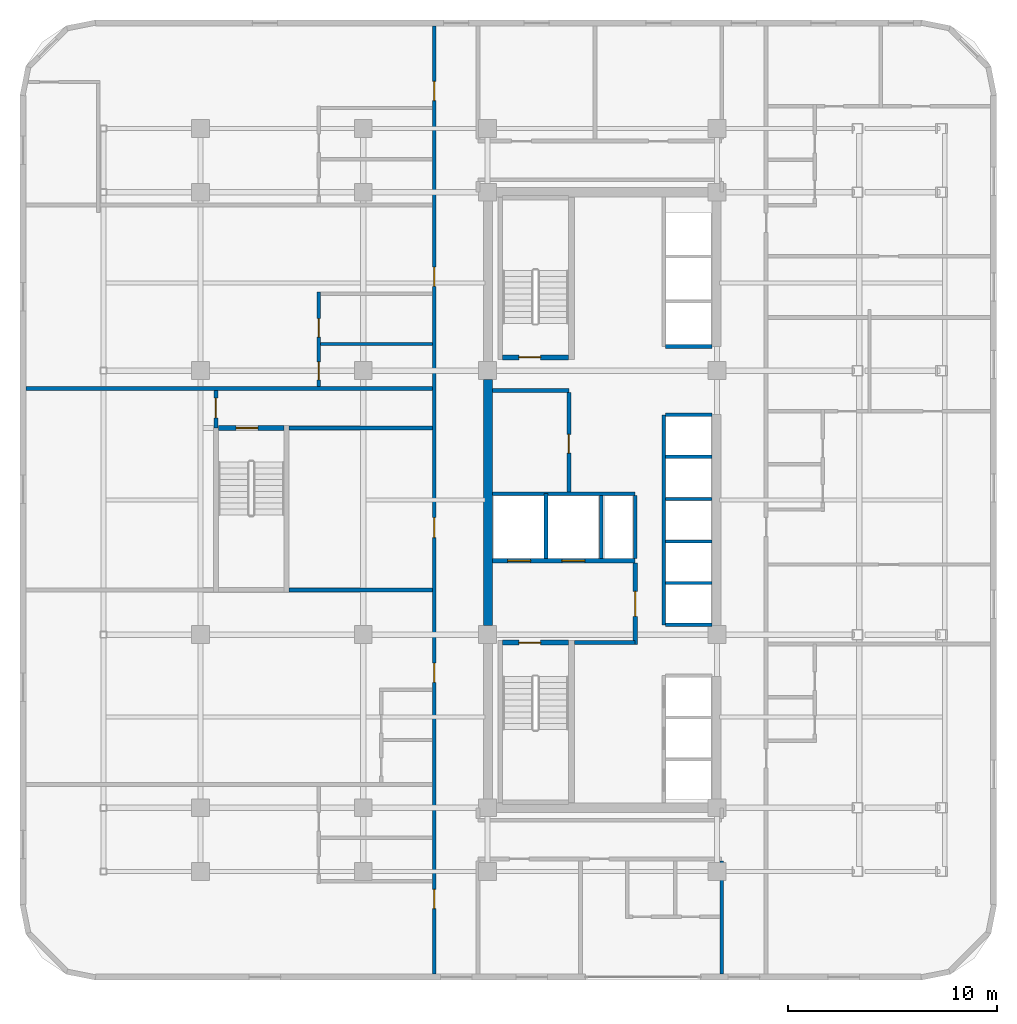
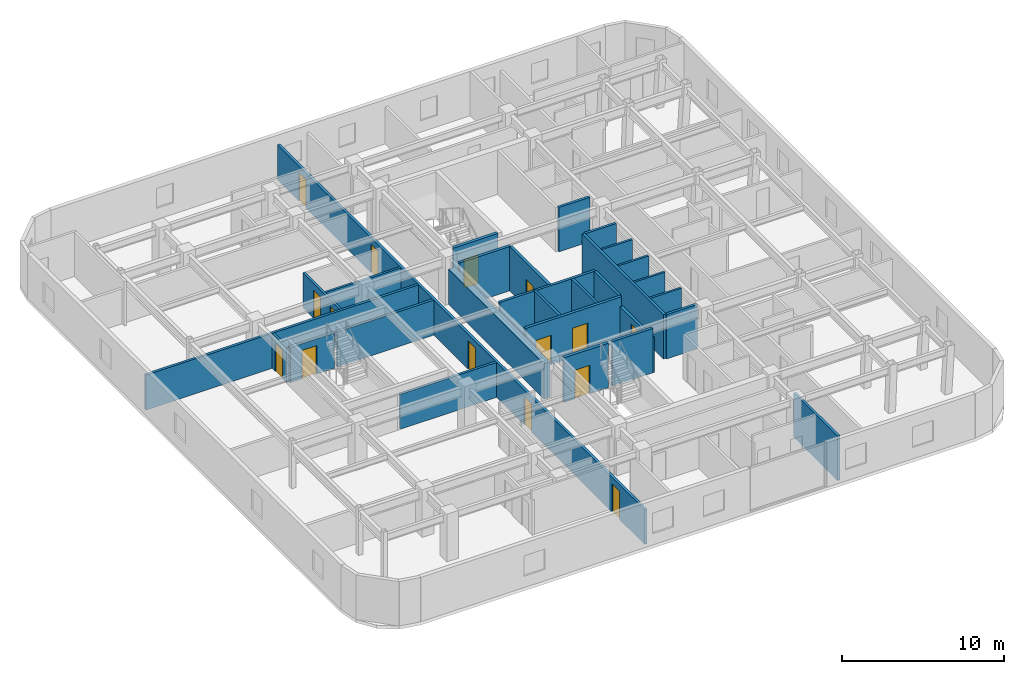
# One storey, part 9 of 13: 29 walls, 15 doors, 15 openings.
"""IFC4 building model written with IfcOpenShell, lengths in metres."""

from ifc_helpers import new_model, si_unit, direction, frame, frame_2d, origin, place, context, subcontext, project, spatial, rectangle, extrude, material, layer, layer_set, type_object, element, fill, save


model = new_model("IFC4")

# Units and contexts
model_context = context("Model", 3, precision=1e-05, world=origin(), true_north=direction((0.0, 1.0)))
body_context = subcontext(model_context, "Body", "Model", "MODEL_VIEW")
ifc_project = project(units=[si_unit("LENGTHUNIT", "METRE"), si_unit("AREAUNIT", "SQUARE_METRE"), si_unit("VOLUMEUNIT", "CUBIC_METRE"), si_unit("PLANEANGLEUNIT", "RADIAN"), si_unit("MASSUNIT", "GRAM", prefix="KILO")], contexts=[model_context])

# Site, building, storey
site_placement = place(None, origin())
site = spatial("IfcSite", under=ifc_project, at=site_placement, CompositionType="ELEMENT")
building_placement = place(site_placement, origin())
building = spatial("IfcBuilding", under=site, at=building_placement, Name="Ochreholt Gables", CompositionType="ELEMENT")
storey_placement = place(building_placement, frame((0.0, 0.0, 56.39990234375)))
storey = spatial("IfcBuildingStorey", under=building, at=storey_placement, Name="L14", CompositionType="ELEMENT", Elevation=56.39990234375)

# Wall
ifc_material_1 = material(Name="Concrete 60 MPa", Category="concrete")
ifc_layer_1 = layer(ifc_material_1, 0.449951171875, Name="Concrete 60 MPa")
ifc_layer_set_1 = layer_set([ifc_layer_1], Name="Concrete 60 MPa")
wall_type_1 = type_object("IfcWallType", Name="WALL-CSW-450", PredefinedType="SHEAR", material=ifc_layer_set_1)
wall_1_placement = place(storey_placement, frame((24.22509765625, 17.97509765625, 0.0), z_axis=(0.0, 0.0, 1.0), x_axis=(0.0, 1.0, 0.0)))
element("IfcWall", 1, at=wall_1_placement, inside=storey, type_object=wall_type_1, Name="L14 Core West Shear Wall WM", PredefinedType="SHEAR", context=body_context, shape_type="SweptSolid", body=[
    extrude(rectangle(XDim=11.7998046875, YDim=0.449951171875, at=frame_2d((5.89990234375, 0.0))), origin(), (0.0, 0.0, 1.0), 2.656982421875),
])

# Wall, openings, doors
ifc_material_2 = material(Name="Concrete 40 MPa", Category="concrete")
ifc_layer_2 = layer(ifc_material_2, 0.199951171875, Name="Concrete 40 MPa")
ifc_layer_set_2 = layer_set([ifc_layer_2], Name="Concrete 40 MPa")
wall_type_2 = type_object("IfcWallType", Name="WALL-INT-CF200", PredefinedType="STANDARD", material=ifc_layer_set_2)
wall_2_placement = place(storey_placement, frame((24.449951171875, 21.090087890625, 0.0), z_axis=(0.0, 0.0, 1.0), x_axis=(1.0, 0.0, 0.0)))
wall_2 = element("IfcWall", 2, at=wall_2_placement, inside=storey, type_object=wall_type_2, Name="L14 Interior Wall WI-FFN-L14", PredefinedType="STANDARD", context=body_context, shape_type="SweptSolid", body=[
    extrude(rectangle(XDim=6.830078125, YDim=0.199951171875, at=frame_2d((3.4150390625, 0.0))), origin(), (0.0, 0.0, 1.0), 3.35009765625),
])
opening_1_placement = place(wall_2_placement, frame((0.719970703125, 0.0, 0.0)))
opening_1 = element("IfcOpeningElement", 3, at=opening_1_placement, cuts=wall_2, Name="Opening LD-FF", PredefinedType="OPENING", context=body_context, shape_type="SweptSolid", body=[
    extrude(rectangle(XDim=1.10009765625, YDim=2.199951171875, at=frame_2d((0.550048828125, 1.10009765625))), frame((0.0, 0.10986328125, 0.0), z_axis=(0.0, -1.0, 0.0), x_axis=(1.0, 0.0, 0.0)), (0.0, 0.0, 1.0), 0.219970703125),
])
opening_2_placement = place(wall_2_placement, frame((3.320068359375, 0.0, 0.0)))
opening_2 = element("IfcOpeningElement", 4, at=opening_2_placement, cuts=wall_2, Name="Opening LD-FF", PredefinedType="OPENING", context=body_context, shape_type="SweptSolid", body=[
    extrude(rectangle(XDim=1.10009765625, YDim=2.199951171875, at=frame_2d((0.550048828125, 1.10009765625))), frame((0.0, 0.10986328125, 0.0), z_axis=(0.0, -1.0, 0.0), x_axis=(1.0, 0.0, 0.0)), (0.0, 0.0, 1.0), 0.219970703125),
])
ifc_material_3 = material(Name="Stainless Steel", Category="steel")
door_type_1 = type_object("IfcDoorType", Name="DR-LFT-FF1100", OperationType="NOTDEFINED", PredefinedType="DOOR", material=ifc_material_3)
door_1_placement = place(opening_1_placement, origin())
door_1 = element("IfcDoor", 5, at=door_1_placement, inside=storey, type_object=door_type_1, Name="L14 Door LD-FF1-L14", OperationType="SLIDING_TO_LEFT", OverallHeight=2.199951171875, OverallWidth=1.10009765625, PredefinedType="DOOR", context=body_context, shape_type="SweptSolid", body=[
    extrude(rectangle(XDim=1.10009765625, YDim=2.199951171875, at=frame_2d((0.550048828125, 1.10009765625))), frame((0.0, 0.02490234375, 0.0), z_axis=(0.0, -1.0, 0.0), x_axis=(1.0, 0.0, 0.0)), (0.0, 0.0, 1.0), 0.050048828125),
])
fill(opening_1, door_1)
door_2_placement = place(opening_2_placement, origin())
door_2 = element("IfcDoor", 6, at=door_2_placement, inside=storey, type_object=door_type_1, Name="L14 Door LD-FF2-L14", OperationType="SLIDING_TO_LEFT", OverallHeight=2.199951171875, OverallWidth=1.10009765625, PredefinedType="DOOR", context=body_context, shape_type="SweptSolid", body=[
    extrude(rectangle(XDim=1.10009765625, YDim=2.199951171875, at=frame_2d((0.550048828125, 1.10009765625))), frame((0.0, 0.02490234375, 0.0), z_axis=(0.0, -1.0, 0.0), x_axis=(1.0, 0.0, 0.0)), (0.0, 0.0, 1.0), 0.050048828125),
])
fill(opening_2, door_2)

# Wall
wall_3_placement = place(storey_placement, frame((28.3798828125, 17.169921875, 0.0), z_axis=(0.0, 0.0, 1.0), x_axis=(1.0, 0.0, 0.0)))
element("IfcWall", 7, at=wall_3_placement, inside=storey, type_object=wall_type_2, Name="L14 Interior Wall WI-FFS-L14", PredefinedType="STANDARD", context=body_context, shape_type="SweptSolid", body=[
    extrude(rectangle(XDim=2.900146484375, YDim=0.199951171875, at=frame_2d((1.4501953125, 0.0))), origin(), (0.0, 0.0, 1.0), 3.35009765625),
])

# Wall, opening, door
wall_4_placement = place(storey_placement, frame((31.280029296875, 17.070068359375, 0.0), z_axis=(0.0, 0.0, 1.0), x_axis=(0.0, 1.0, 0.0)))
wall_4 = element("IfcWall", 8, at=wall_4_placement, inside=storey, type_object=wall_type_2, Name="L14 Interior Wall WI-FFE-L14", PredefinedType="STANDARD", context=body_context, shape_type="SweptSolid", body=[
    extrude(rectangle(XDim=3.919921875, YDim=0.199951171875, at=frame_2d((1.9599609375, 0.0))), origin(), (0.0, 0.0, 1.0), 2.63916015625),
])
opening_3_placement = place(wall_4_placement, frame((1.35009765625, 0.0, 0.0)))
opening_3 = element("IfcOpeningElement", 9, at=opening_3_placement, cuts=wall_4, Name="Opening D-FFL", PredefinedType="OPENING", context=body_context, shape_type="SweptSolid", body=[
    extrude(rectangle(XDim=1.199951171875, YDim=2.14990234375, at=frame_2d((0.60009765625, 1.074951171875))), frame((0.0, 0.10986328125, 0.0), z_axis=(0.0, -1.0, 0.0), x_axis=(1.0, 0.0, 0.0)), (0.0, 0.0, 1.0), 0.219970703125),
])
ifc_material_4 = material(Name="Hollow Metal Steel", Category="steel")
door_type_2 = type_object("IfcDoorType", Name="DR-INT-FFL1200", OperationType="NOTDEFINED", PredefinedType="DOOR", material=ifc_material_4)
door_3_placement = place(opening_3_placement, origin())
door_3 = element("IfcDoor", 10, at=door_3_placement, inside=storey, type_object=door_type_2, Name="L14 Door D-FFL-L14", OperationType="SINGLE_SWING_LEFT", OverallHeight=2.14990234375, OverallWidth=1.199951171875, PredefinedType="DOOR", context=body_context, shape_type="SweptSolid", body=[
    extrude(rectangle(XDim=1.199951171875, YDim=2.14990234375, at=frame_2d((0.60009765625, 1.074951171875))), frame((0.0, 0.02490234375, 0.0), z_axis=(0.0, -1.0, 0.0), x_axis=(1.0, 0.0, 0.0)), (0.0, 0.0, 1.0), 0.050048828125),
])
fill(opening_3, door_3)

# Wall
wall_5_placement = place(storey_placement, frame((24.449951171875, 29.239990234375, 0.0), z_axis=(0.0, 0.0, 1.0), x_axis=(1.0, 0.0, 0.0)))
element("IfcWall", 11, at=wall_5_placement, inside=storey, type_object=wall_type_2, Name="L14 Interior Wall WI-SRVN-L14", PredefinedType="STANDARD", context=body_context, shape_type="SweptSolid", body=[
    extrude(rectangle(XDim=3.650146484375, YDim=0.199951171875, at=frame_2d((1.8251953125, 0.0))), origin(), (0.0, 0.0, 1.0), 3.35009765625),
])

# Wall, opening, door
wall_6_placement = place(storey_placement, frame((28.10009765625, 24.389892578125, 0.0), z_axis=(0.0, 0.0, 1.0), x_axis=(0.0, 1.0, 0.0)))
wall_6 = element("IfcWall", 12, at=wall_6_placement, inside=storey, type_object=wall_type_2, Name="L14 Interior Wall WI-SRVE-L14", PredefinedType="STANDARD", context=body_context, shape_type="SweptSolid", body=[
    extrude(rectangle(XDim=4.75, YDim=0.199951171875, at=frame_2d((2.375, 0.0))), origin(), (0.0, 0.0, 1.0), 3.35009765625),
])
opening_4_placement = place(wall_6_placement, frame((1.860107421875, 0.0, 0.0)))
opening_4 = element("IfcOpeningElement", 13, at=opening_4_placement, cuts=wall_6, Name="Opening D-SV1", PredefinedType="OPENING", context=body_context, shape_type="SweptSolid", body=[
    extrude(rectangle(XDim=0.89990234375, YDim=2.10009765625, at=frame_2d((0.449951171875, 1.050048828125))), frame((0.0, 0.10986328125, 0.0), z_axis=(0.0, -1.0, 0.0), x_axis=(1.0, 0.0, 0.0)), (0.0, 0.0, 1.0), 0.219970703125),
])
door_type_3 = type_object("IfcDoorType", Name="DR-INT-SRV900", OperationType="NOTDEFINED", PredefinedType="DOOR", material=ifc_material_4)
door_4_placement = place(opening_4_placement, origin())
door_4 = element("IfcDoor", 14, at=door_4_placement, inside=storey, type_object=door_type_3, Name="L14 Door D-SRV1-L14", OperationType="SINGLE_SWING_LEFT", OverallHeight=2.10009765625, OverallWidth=0.89990234375, PredefinedType="DOOR", context=body_context, shape_type="SweptSolid", body=[
    extrude(rectangle(XDim=0.89990234375, YDim=2.10009765625, at=frame_2d((0.449951171875, 1.050048828125))), frame((0.0, 0.02490234375, 0.0), z_axis=(0.0, -1.0, 0.0), x_axis=(1.0, 0.0, 0.0)), (0.0, 0.0, 1.0), 0.050048828125),
])
fill(opening_4, door_4)

# Wall, openings, doors
ifc_material_5 = material(Name="Fire-Rated Gypsum Acoustic Partition", Category="gypsum")
ifc_layer_3 = layer(ifc_material_5, 0.179931640625, Name="Fire-Rated Gypsum Acoustic Partition")
ifc_layer_set_3 = layer_set([ifc_layer_3], Name="Fire-Rated Gypsum Acoustic Partition")
wall_type_3 = type_object("IfcWallType", Name="WALL-INT-CR180", PredefinedType="STANDARD", material=ifc_layer_set_3)
wall_7_placement = place(storey_placement, frame((21.64990234375, 1.2900390625, 0.0), z_axis=(0.0, 0.0, 1.0), x_axis=(0.0, 1.0, 0.0)))
wall_7 = element("IfcWall", 15, at=wall_7_placement, inside=storey, type_object=wall_type_3, Name="L14 Interior Wall WI-C1W-L14", PredefinedType="STANDARD", context=body_context, shape_type="SweptSolid", body=[
    extrude(rectangle(XDim=45.419921875, YDim=0.179931640625, at=frame_2d((22.7099609375, 0.0))), origin(), (0.0, 0.0, 1.0), 2.63916015625),
])
opening_5_placement = place(wall_7_placement, frame((3.135009765625, 0.0, 0.0)))
opening_5 = element("IfcOpeningElement", 16, at=opening_5_placement, cuts=wall_7, Name="Opening D-UN1", PredefinedType="OPENING", context=body_context, shape_type="SweptSolid", body=[
    extrude(rectangle(XDim=0.919921875, YDim=2.14990234375, at=frame_2d((0.4599609375, 1.074951171875))), frame((0.0, 0.099853515625, 0.0), z_axis=(0.0, -1.0, 0.0), x_axis=(1.0, 0.0, 0.0)), (0.0, 0.0, 1.0), 0.199951171875),
])
opening_6_placement = place(wall_7_placement, frame((13.97509765625, 0.0, 0.0)))
opening_6 = element("IfcOpeningElement", 17, at=opening_6_placement, cuts=wall_7, Name="Opening D-UN1", PredefinedType="OPENING", context=body_context, shape_type="SweptSolid", body=[
    extrude(rectangle(XDim=0.919921875, YDim=2.14990234375, at=frame_2d((0.4599609375, 1.074951171875))), frame((0.0, 0.099853515625, 0.0), z_axis=(0.0, -1.0, 0.0), x_axis=(1.0, 0.0, 0.0)), (0.0, 0.0, 1.0), 0.199951171875),
])
opening_7_placement = place(wall_7_placement, frame((20.909912109375, 0.0, 0.0)))
opening_7 = element("IfcOpeningElement", 18, at=opening_7_placement, cuts=wall_7, Name="Opening D-GN1", PredefinedType="OPENING", context=body_context, shape_type="SweptSolid", body=[
    extrude(rectangle(XDim=0.949951171875, YDim=2.14990234375, at=frame_2d((0.47509765625, 1.074951171875))), frame((0.0, 0.099853515625, 0.0), z_axis=(0.0, -1.0, 0.0), x_axis=(1.0, 0.0, 0.0)), (0.0, 0.0, 1.0), 0.199951171875),
])
opening_8_placement = place(wall_7_placement, frame((32.949951171875, 0.0, 0.0)))
opening_8 = element("IfcOpeningElement", 19, at=opening_8_placement, cuts=wall_7, Name="Opening D-UN1", PredefinedType="OPENING", context=body_context, shape_type="SweptSolid", body=[
    extrude(rectangle(XDim=0.919921875, YDim=2.14990234375, at=frame_2d((0.4599609375, 1.074951171875))), frame((0.0, 0.099853515625, 0.0), z_axis=(0.0, -1.0, 0.0), x_axis=(1.0, 0.0, 0.0)), (0.0, 0.0, 1.0), 0.199951171875),
])
opening_9_placement = place(wall_7_placement, frame((41.85009765625, 0.0, 0.0)))
opening_9 = element("IfcOpeningElement", 20, at=opening_9_placement, cuts=wall_7, Name="Opening D-UN1", PredefinedType="OPENING", context=body_context, shape_type="SweptSolid", body=[
    extrude(rectangle(XDim=0.919921875, YDim=2.14990234375, at=frame_2d((0.4599609375, 1.074951171875))), frame((0.0, 0.099853515625, 0.0), z_axis=(0.0, -1.0, 0.0), x_axis=(1.0, 0.0, 0.0)), (0.0, 0.0, 1.0), 0.199951171875),
])
ifc_material_6 = material(Name="Engineered Oak Timber", Category="wood")
door_type_4 = type_object("IfcDoorType", Name="DR-INT-GEN950", OperationType="NOTDEFINED", PredefinedType="DOOR", material=ifc_material_6)
door_5_placement = place(opening_7_placement, origin())
door_5 = element("IfcDoor", 21, at=door_5_placement, inside=storey, type_object=door_type_4, Name="L14 Door D-C1WRR-L14", OperationType="SINGLE_SWING_LEFT", OverallHeight=2.14990234375, OverallWidth=0.949951171875, PredefinedType="DOOR", context=body_context, shape_type="SweptSolid", body=[
    extrude(rectangle(XDim=0.949951171875, YDim=2.14990234375, at=frame_2d((0.47509765625, 1.074951171875))), frame((0.0, 0.02490234375, 0.0), z_axis=(0.0, -1.0, 0.0), x_axis=(1.0, 0.0, 0.0)), (0.0, 0.0, 1.0), 0.050048828125),
])
fill(opening_7, door_5)
door_type_5 = type_object("IfcDoorType", Name="DR-INT-UNT920", OperationType="NOTDEFINED", PredefinedType="DOOR", material=ifc_material_6)
door_6_placement = place(opening_5_placement, origin())
door_6 = element("IfcDoor", 22, at=door_6_placement, inside=storey, type_object=door_type_5, Name="L14 Door D-U-L14W1-ENT", OperationType="SINGLE_SWING_LEFT", OverallHeight=2.14990234375, OverallWidth=0.919921875, PredefinedType="DOOR", context=body_context, shape_type="SweptSolid", body=[
    extrude(rectangle(XDim=0.919921875, YDim=2.14990234375, at=frame_2d((0.4599609375, 1.074951171875))), frame((0.0, 0.02490234375, 0.0), z_axis=(0.0, -1.0, 0.0), x_axis=(1.0, 0.0, 0.0)), (0.0, 0.0, 1.0), 0.050048828125),
])
fill(opening_5, door_6)
door_7_placement = place(opening_6_placement, origin())
door_7 = element("IfcDoor", 23, at=door_7_placement, inside=storey, type_object=door_type_5, Name="L14 Door D-U-L14W2-ENT", OperationType="SINGLE_SWING_RIGHT", OverallHeight=2.14990234375, OverallWidth=0.919921875, PredefinedType="DOOR", context=body_context, shape_type="SweptSolid", body=[
    extrude(rectangle(XDim=0.919921875, YDim=2.14990234375, at=frame_2d((0.4599609375, 1.074951171875))), frame((0.0, 0.02490234375, 0.0), z_axis=(0.0, -1.0, 0.0), x_axis=(1.0, 0.0, 0.0)), (0.0, 0.0, 1.0), 0.050048828125),
])
fill(opening_6, door_7)
door_8_placement = place(opening_8_placement, origin())
door_8 = element("IfcDoor", 24, at=door_8_placement, inside=storey, type_object=door_type_5, Name="L14 Door D-U-L14W3-ENT", OperationType="SINGLE_SWING_LEFT", OverallHeight=2.14990234375, OverallWidth=0.919921875, PredefinedType="DOOR", context=body_context, shape_type="SweptSolid", body=[
    extrude(rectangle(XDim=0.919921875, YDim=2.14990234375, at=frame_2d((0.4599609375, 1.074951171875))), frame((0.0, 0.02490234375, 0.0), z_axis=(0.0, -1.0, 0.0), x_axis=(1.0, 0.0, 0.0)), (0.0, 0.0, 1.0), 0.050048828125),
])
fill(opening_8, door_8)
door_9_placement = place(opening_9_placement, origin())
door_9 = element("IfcDoor", 25, at=door_9_placement, inside=storey, type_object=door_type_5, Name="L14 Door D-U-L14W4-ENT", OperationType="SINGLE_SWING_RIGHT", OverallHeight=2.14990234375, OverallWidth=0.919921875, PredefinedType="DOOR", context=body_context, shape_type="SweptSolid", body=[
    extrude(rectangle(XDim=0.919921875, YDim=2.14990234375, at=frame_2d((0.4599609375, 1.074951171875))), frame((0.0, 0.02490234375, 0.0), z_axis=(0.0, -1.0, 0.0), x_axis=(1.0, 0.0, 0.0)), (0.0, 0.0, 1.0), 0.050048828125),
])
fill(opening_9, door_9)

# Walls
wall_8_placement = place(storey_placement, frame((14.679931640625, 27.449951171875, 0.0), z_axis=(0.0, 0.0, 1.0), x_axis=(1.0, 0.0, 0.0)))
element("IfcWall", 26, at=wall_8_placement, inside=storey, type_object=wall_type_3, Name="L14 Interior Wall WI-C1FS1-L14", PredefinedType="STANDARD", context=body_context, shape_type="SweptSolid", body=[
    extrude(rectangle(XDim=6.880126953125, YDim=0.179931640625, at=frame_2d((3.43994140625, 0.0))), origin(), (0.0, 0.0, 1.0), 2.63916015625),
])
wall_9_placement = place(storey_placement, frame((2.090087890625, 29.340087890625, 0.0), z_axis=(0.0, 0.0, 1.0), x_axis=(1.0, 0.0, 0.0)))
element("IfcWall", 27, at=wall_9_placement, inside=storey, type_object=wall_type_3, Name="L14 Interior Wall WI-C1FS2-L14", PredefinedType="STANDARD", context=body_context, shape_type="SweptSolid", body=[
    extrude(rectangle(XDim=19.469970703125, YDim=0.179931640625, at=frame_2d((9.73486328125, 0.0))), origin(), (0.0, 0.0, 1.0), 2.63916015625),
])

# Wall, opening, door
wall_10_placement = place(storey_placement, frame((11.18994140625, 27.449951171875, 0.0), z_axis=(0.0, 0.0, 1.0), x_axis=(0.0, 1.0, 0.0)))
wall_10 = element("IfcWall", 28, at=wall_10_placement, inside=storey, type_object=wall_type_3, Name="L14 Interior Wall WI-C1FS3-L14", PredefinedType="STANDARD", context=body_context, shape_type="SweptSolid", body=[
    extrude(rectangle(XDim=1.800048828125, YDim=0.179931640625, at=frame_2d((0.89990234375, 0.0))), origin(), (0.0, 0.0, 1.0), 2.63916015625),
])
opening_10_placement = place(wall_10_placement, frame((0.47998046875, 0.0, 0.0)))
opening_10 = element("IfcOpeningElement", 29, at=opening_10_placement, cuts=wall_10, Name="Opening D-GN1", PredefinedType="OPENING", context=body_context, shape_type="SweptSolid", body=[
    extrude(rectangle(XDim=0.949951171875, YDim=2.14990234375, at=frame_2d((0.47509765625, 1.074951171875))), frame((0.0, 0.099853515625, 0.0), z_axis=(0.0, -1.0, 0.0), x_axis=(1.0, 0.0, 0.0)), (0.0, 0.0, 1.0), 0.199951171875),
])
door_10_placement = place(opening_10_placement, origin())
door_10 = element("IfcDoor", 30, at=door_10_placement, inside=storey, type_object=door_type_4, Name="L14 Door D-C1WMA-L14", OperationType="SINGLE_SWING_LEFT", OverallHeight=2.14990234375, OverallWidth=0.949951171875, PredefinedType="DOOR", context=body_context, shape_type="SweptSolid", body=[
    extrude(rectangle(XDim=0.949951171875, YDim=2.14990234375, at=frame_2d((0.47509765625, 1.074951171875))), frame((0.0, 0.02490234375, 0.0), z_axis=(0.0, -1.0, 0.0), x_axis=(1.0, 0.0, 0.0)), (0.0, 0.0, 1.0), 0.050048828125),
])
fill(opening_10, door_10)

# Walls
ifc_material_7 = material(Name="Double-Stud Acoustic Demising Wall", Category="gypsum")
ifc_layer_4 = layer(ifc_material_7, 0.179931640625, Name="Double-Stud Acoustic Demising Wall")
ifc_layer_set_4 = layer_set([ifc_layer_4], Name="Double-Stud Acoustic Demising Wall")
wall_type_4 = type_object("IfcWallType", Name="WALL-INT-DM180", PredefinedType="PARTITIONING", material=ifc_layer_set_4)
wall_11_placement = place(storey_placement, frame((35.419921875, 1.2900390625, 0.0), z_axis=(0.0, 0.0, 1.0), x_axis=(0.0, 1.0, 0.0)))
element("IfcWall", 31, at=wall_11_placement, inside=storey, type_object=wall_type_4, Name="L14 Interior Wall WI-C1ESW-L14", PredefinedType="PARTITIONING", context=body_context, shape_type="SweptSolid", body=[
    extrude(rectangle(XDim=5.419921875, YDim=0.179931640625, at=frame_2d((2.7099609375, 0.0))), origin(), (0.0, 0.0, 1.0), 3.35009765625),
])
wall_12_placement = place(storey_placement, frame((14.679931640625, 19.68994140625, 0.0), z_axis=(0.0, 0.0, 1.0), x_axis=(1.0, 0.0, 0.0)))
element("IfcWall", 32, at=wall_12_placement, inside=storey, type_object=wall_type_4, Name="L14 Interior Wall WI-UDWS2B-L14", PredefinedType="PARTITIONING", context=body_context, shape_type="SweptSolid", body=[
    extrude(rectangle(XDim=6.880126953125, YDim=0.179931640625, at=frame_2d((3.43994140625, 0.0))), origin(), (0.0, 0.0, 1.0), 2.63916015625),
])

# Wall, openings, doors
ifc_material_8 = material(Name="Moisture-Resistant Plumbing Chase Wall", Category="gypsum")
ifc_layer_5 = layer(ifc_material_8, 0.159912109375, Name="Moisture-Resistant Plumbing Chase Wall")
ifc_layer_set_5 = layer_set([ifc_layer_5], Name="Moisture-Resistant Plumbing Chase Wall")
wall_type_5 = type_object("IfcWallType", Name="WALL-INT-PL160", PredefinedType="PLUMBINGWALL", material=ifc_layer_set_5)
wall_13_placement = place(storey_placement, frame((16.110107421875, 29.429931640625, 0.0), z_axis=(0.0, 0.0, 1.0), x_axis=(0.0, 1.0, 0.0)))
wall_13 = element("IfcWall", 33, at=wall_13_placement, inside=storey, type_object=wall_type_5, Name="L14 Interior Wall WU-L14W3-WX", PredefinedType="PLUMBINGWALL", context=body_context, shape_type="SweptSolid", body=[
    extrude(rectangle(XDim=4.5400390625, YDim=0.159912109375, at=frame_2d((2.27001953125, 0.0))), origin(), (0.0, 0.0, 1.0), 2.63916015625),
])
opening_11_placement = place(wall_13_placement, frame((0.330078125, 0.0, 0.0)))
opening_11 = element("IfcOpeningElement", 34, at=opening_11_placement, cuts=wall_13, Name="Opening D-BT1", PredefinedType="OPENING", context=body_context, shape_type="SweptSolid", body=[
    extrude(rectangle(XDim=0.860107421875, YDim=2.1201171875, at=frame_2d((0.43017578125, 1.06005859375))), frame((0.0, 0.08984375, 0.0), z_axis=(0.0, -1.0, 0.0), x_axis=(1.0, 0.0, 0.0)), (0.0, 0.0, 1.0), 0.179931640625),
])
opening_12_placement = place(wall_13_placement, frame((2.376953125, 0.0, 0.0)))
opening_12 = element("IfcOpeningElement", 35, at=opening_12_placement, cuts=wall_13, Name="Opening D-GN2", PredefinedType="OPENING", context=body_context, shape_type="SweptSolid", body=[
    extrude(rectangle(XDim=0.8798828125, YDim=2.1201171875, at=frame_2d((0.43994140625, 1.06005859375))), frame((0.0, 0.08984375, 0.0), z_axis=(0.0, -1.0, 0.0), x_axis=(1.0, 0.0, 0.0)), (0.0, 0.0, 1.0), 0.179931640625),
])
door_type_6 = type_object("IfcDoorType", Name="DR-INT-BTH860", OperationType="NOTDEFINED", PredefinedType="DOOR", material=ifc_material_6)
door_11_placement = place(opening_11_placement, origin())
door_11 = element("IfcDoor", 36, at=door_11_placement, inside=storey, type_object=door_type_6, Name="L14 Door D-U-L14W3-BTH", OperationType="SINGLE_SWING_RIGHT", OverallHeight=2.1201171875, OverallWidth=0.860107421875, PredefinedType="DOOR", context=body_context, shape_type="SweptSolid", body=[
    extrude(rectangle(XDim=0.860107421875, YDim=2.1201171875, at=frame_2d((0.43017578125, 1.06005859375))), frame((0.0, 0.02490234375, 0.0), z_axis=(0.0, -1.0, 0.0), x_axis=(1.0, 0.0, 0.0)), (0.0, 0.0, 1.0), 0.050048828125),
])
fill(opening_11, door_11)
door_type_7 = type_object("IfcDoorType", Name="DR-INT-GEN880", OperationType="NOTDEFINED", PredefinedType="DOOR", material=ifc_material_6)
door_12_placement = place(opening_12_placement, origin())
door_12 = element("IfcDoor", 37, at=door_12_placement, inside=storey, type_object=door_type_7, Name="L14 Door D-U-L14W3-KIT", OperationType="SINGLE_SWING_LEFT", OverallHeight=2.1201171875, OverallWidth=0.8798828125, PredefinedType="DOOR", context=body_context, shape_type="SweptSolid", body=[
    extrude(rectangle(XDim=0.8798828125, YDim=2.1201171875, at=frame_2d((0.43994140625, 1.06005859375))), frame((0.0, 0.02490234375, 0.0), z_axis=(0.0, -1.0, 0.0), x_axis=(1.0, 0.0, 0.0)), (0.0, 0.0, 1.0), 0.050048828125),
])
fill(opening_12, door_12)

# Walls
wall_14_placement = place(storey_placement, frame((16.18994140625, 31.47705078125, 0.0), z_axis=(0.0, 0.0, 1.0), x_axis=(1.0, 0.0, 0.0)))
element("IfcWall", 38, at=wall_14_placement, inside=storey, type_object=wall_type_5, Name="L14 Interior Wall WU-L14W3-WM", PredefinedType="PLUMBINGWALL", context=body_context, shape_type="SweptSolid", body=[
    extrude(rectangle(XDim=5.3701171875, YDim=0.159912109375, at=frame_2d((2.68505859375, 0.0))), origin(), (0.0, 0.0, 1.0), 2.63916015625),
])
ifc_material_9 = material(Name="Gypsum Shaftliner and Steel Stud", Category="steel")
ifc_layer_6 = layer(ifc_material_9, 0.14990234375, Name="Gypsum Shaftliner and Steel Stud")
ifc_layer_set_6 = layer_set([ifc_layer_6], Name="Gypsum Shaftliner and Steel Stud")
wall_type_6 = type_object("IfcWallType", Name="WALL-INT-SH150", PredefinedType="STANDARD", material=ifc_layer_set_6)
for number, where, z_axis, x_axis, name in (
    (39, (32.739990234375, 20.02001953125, 0.0), (0.0, 0.0, 1.0), (1.0, 0.0, 0.0), "L14 Interior Wall WI-LFHE-DH1-L14"),
    (40, (32.739990234375, 22.02001953125, 0.0), (0.0, 0.0, 1.0), (1.0, 0.0, 0.0), "L14 Interior Wall WI-LFHE-DH2-L14"),
    (41, (32.739990234375, 24.050048828125, 0.0), (0.0, 0.0, 1.0), (1.0, 0.0, 0.0), "L14 Interior Wall WI-LFHE-DHE-L14"),
    (42, (32.739990234375, 26.070068359375, 0.0), (0.0, 0.0, 1.0), (1.0, 0.0, 0.0), "L14 Interior Wall WI-LFHE-DEX1-L14"),
):
    element("IfcWall", number, at=place(storey_placement, frame(where, z_axis=z_axis, x_axis=x_axis)), inside=storey, type_object=wall_type_6, Name=name, PredefinedType="STANDARD", context=body_context, shape_type="SweptSolid", body=[
        extrude(rectangle(XDim=2.2099609375, YDim=0.14990234375, at=frame_2d((1.10498046875, 0.0))), origin(), (0.0, 0.0, 1.0), 3.35009765625),
    ])
ifc_layer_7 = layer(ifc_material_9, 0.179931640625, Name="Gypsum Shaftliner and Steel Stud")
ifc_layer_set_7 = layer_set([ifc_layer_7], Name="Gypsum Shaftliner and Steel Stud")
wall_type_7 = type_object("IfcWallType", Name="WALL-INT-SH180", PredefinedType="STANDARD", material=ifc_layer_set_7)
wall_15_placement = place(storey_placement, frame((27.0, 21.18994140625, 0.0), z_axis=(0.0, 0.0, 1.0), x_axis=(0.0, 1.0, 0.0)))
element("IfcWall", 43, at=wall_15_placement, inside=storey, type_object=wall_type_7, Name="L14 Interior Wall WI-FFDIV-L14", PredefinedType="STANDARD", context=body_context, shape_type="SweptSolid", body=[
    extrude(rectangle(XDim=3.110107421875, YDim=0.179931640625, at=frame_2d((1.55517578125, 0.0))), origin(), (0.0, 0.0, 1.0), 3.35009765625),
])
wall_16_placement = place(storey_placement, frame((24.449951171875, 24.300048828125, 0.0), z_axis=(0.0, 0.0, 1.0), x_axis=(1.0, 0.0, 0.0)))
element("IfcWall", 44, at=wall_16_placement, inside=storey, type_object=wall_type_7, Name="L14 Interior Wall WI-FFBK-L14", PredefinedType="STANDARD", context=body_context, shape_type="SweptSolid", body=[
    extrude(rectangle(XDim=6.830078125, YDim=0.179931640625, at=frame_2d((3.4150390625, 0.0))), origin(), (0.0, 0.0, 1.0), 3.35009765625),
])
for number, where, z_axis, x_axis, name in (
    (45, (29.64990234375, 21.18994140625, 0.0), (0.0, 0.0, 1.0), (0.0, 1.0, 0.0), "L14 Interior Wall WI-FFSH-L14"),
    (46, (31.280029296875, 21.18994140625, 0.0), (0.0, 0.0, 1.0), (0.0, 1.0, 0.0), "L14 Interior Wall WI-RSE-L14"),
):
    element("IfcWall", number, at=place(storey_placement, frame(where, z_axis=z_axis, x_axis=x_axis)), inside=storey, type_object=wall_type_7, Name=name, PredefinedType="STANDARD", context=body_context, shape_type="SweptSolid", body=[
        extrude(rectangle(XDim=3.02001953125, YDim=0.179931640625, at=frame_2d((1.510009765625, 0.0))), origin(), (0.0, 0.0, 1.0), 3.35009765625),
    ])
wall_17_placement = place(storey_placement, frame((32.64990234375, 18.02001953125, 0.0), z_axis=(0.0, 0.0, 1.0), x_axis=(0.0, 1.0, 0.0)))
element("IfcWall", 47, at=wall_17_placement, inside=storey, type_object=wall_type_7, Name="L14 Interior Wall WI-LFHE-FR-L14", PredefinedType="STANDARD", context=body_context, shape_type="SweptSolid", body=[
    extrude(rectangle(XDim=10.06005859375, YDim=0.179931640625, at=frame_2d((5.030029296875, 0.0))), origin(), (0.0, 0.0, 1.0), 3.35009765625),
])
for number, where, z_axis, x_axis, name in (
    (48, (32.739990234375, 18.02001953125, 0.0), (0.0, 0.0, 1.0), (1.0, 0.0, 0.0), "L14 Interior Wall WI-LFHE-S-L14"),
    (49, (32.739990234375, 28.080078125, 0.0), (0.0, 0.0, 1.0), (1.0, 0.0, 0.0), "L14 Interior Wall WI-LFHE-N-L14"),
    (50, (32.739990234375, 31.35009765625, 0.0), (0.0, 0.0, 1.0), (1.0, 0.0, 0.0), "L14 Interior Wall WI-LFM-S-L14"),
):
    element("IfcWall", number, at=place(storey_placement, frame(where, z_axis=z_axis, x_axis=x_axis)), inside=storey, type_object=wall_type_7, Name=name, PredefinedType="STANDARD", context=body_context, shape_type="SweptSolid", body=[
        extrude(rectangle(XDim=2.2099609375, YDim=0.179931640625, at=frame_2d((1.10498046875, 0.0))), origin(), (0.0, 0.0, 1.0), 3.35009765625),
    ])

# Wall, opening, door
ifc_material_10 = material(Name="Concrete 50 MPa", Category="concrete")
ifc_layer_8 = layer(ifc_material_10, 0.219970703125, Name="Concrete 50 MPa")
ifc_layer_set_8 = layer_set([ifc_layer_8], Name="Concrete 50 MPa")
wall_type_8 = type_object("IfcWallType", Name="WALL-STW-220", PredefinedType="SHEAR", material=ifc_layer_set_8)
wall_18_placement = place(storey_placement, frame((24.919921875, 17.169921875, 0.0), z_axis=(0.0, 0.0, 1.0), x_axis=(1.0, 0.0, 0.0)))
wall_18 = element("IfcWall", 51, at=wall_18_placement, inside=storey, type_object=wall_type_8, Name="L14 Exit Stair 1 North Wall", PredefinedType="SHEAR", context=body_context, shape_type="SweptSolid", body=[
    extrude(rectangle(XDim=3.16015625, YDim=0.219970703125, at=frame_2d((1.580078125, 0.0))), origin(), (0.0, 0.0, 1.0), 3.35009765625),
])
opening_13_placement = place(wall_18_placement, frame((0.780029296875, 0.0, 0.0)))
opening_13 = element("IfcOpeningElement", 52, at=opening_13_placement, cuts=wall_18, Name="Opening D-STC", PredefinedType="OPENING", context=body_context, shape_type="SweptSolid", body=[
    extrude(rectangle(XDim=1.050048828125, YDim=2.14990234375, at=frame_2d((0.52490234375, 1.074951171875))), frame((0.0, 0.119873046875, 0.0), z_axis=(0.0, -1.0, 0.0), x_axis=(1.0, 0.0, 0.0)), (0.0, 0.0, 1.0), 0.239990234375),
])
door_type_8 = type_object("IfcDoorType", Name="DR-INT-ST1050", OperationType="NOTDEFINED", PredefinedType="DOOR", material=ifc_material_4)
door_13_placement = place(opening_13_placement, frame((1.050048828125, 0.0, 0.0), z_axis=(0.0, 0.0, 1.0), x_axis=(-1.0, 0.0, 0.0)))
door_13 = element("IfcDoor", 53, at=door_13_placement, inside=storey, type_object=door_type_8, Name="L14 Door D-ST1-L14", OperationType="SINGLE_SWING_LEFT", OverallHeight=2.14990234375, OverallWidth=1.050048828125, PredefinedType="DOOR", context=body_context, shape_type="SweptSolid", body=[
    extrude(rectangle(XDim=1.050048828125, YDim=2.14990234375, at=frame_2d((0.52490234375, 1.074951171875))), frame((0.0, 0.02490234375, 0.0), z_axis=(0.0, -1.0, 0.0), x_axis=(1.0, 0.0, 0.0)), (0.0, 0.0, 1.0), 0.050048828125),
])
fill(opening_13, door_13)

wall_19_placement = place(storey_placement, frame((24.919921875, 30.830078125, 0.0), z_axis=(0.0, 0.0, 1.0), x_axis=(1.0, 0.0, 0.0)))
wall_19 = element("IfcWall", 54, at=wall_19_placement, inside=storey, type_object=wall_type_8, Name="L14 Exit Stair 2 South Wall", PredefinedType="SHEAR", context=body_context, shape_type="SweptSolid", body=[
    extrude(rectangle(XDim=3.16015625, YDim=0.219970703125, at=frame_2d((1.580078125, 0.0))), origin(), (0.0, 0.0, 1.0), 3.35009765625),
])
opening_14_placement = place(wall_19_placement, frame((0.780029296875, 0.0, 0.0)))
opening_14 = element("IfcOpeningElement", 55, at=opening_14_placement, cuts=wall_19, Name="Opening D-STC", PredefinedType="OPENING", context=body_context, shape_type="SweptSolid", body=[
    extrude(rectangle(XDim=1.050048828125, YDim=2.14990234375, at=frame_2d((0.52490234375, 1.074951171875))), frame((0.0, 0.119873046875, 0.0), z_axis=(0.0, -1.0, 0.0), x_axis=(1.0, 0.0, 0.0)), (0.0, 0.0, 1.0), 0.239990234375),
])
door_14_placement = place(opening_14_placement, origin())
door_14 = element("IfcDoor", 56, at=door_14_placement, inside=storey, type_object=door_type_8, Name="L14 Door D-ST2-L14", OperationType="SINGLE_SWING_RIGHT", OverallHeight=2.14990234375, OverallWidth=1.050048828125, PredefinedType="DOOR", context=body_context, shape_type="SweptSolid", body=[
    extrude(rectangle(XDim=1.050048828125, YDim=2.14990234375, at=frame_2d((0.52490234375, 1.074951171875))), frame((0.0, 0.02490234375, 0.0), z_axis=(0.0, -1.0, 0.0), x_axis=(1.0, 0.0, 0.0)), (0.0, 0.0, 1.0), 0.050048828125),
])
fill(opening_14, door_14)

wall_20_placement = place(storey_placement, frame((11.300048828125, 27.449951171875, 0.0), z_axis=(0.0, 0.0, 1.0), x_axis=(1.0, 0.0, 0.0)))
wall_20 = element("IfcWall", 57, at=wall_20_placement, inside=storey, type_object=wall_type_8, Name="L14 Feature Stair ST-C1 North Wall", PredefinedType="SHEAR", context=body_context, shape_type="SweptSolid", body=[
    extrude(rectangle(XDim=3.159912109375, YDim=0.219970703125, at=frame_2d((1.580078125, 0.0))), origin(), (0.0, 0.0, 1.0), 2.657470703125),
])
opening_15_placement = place(wall_20_placement, frame((0.85009765625, 0.0, 0.0)))
opening_15 = element("IfcOpeningElement", 58, at=opening_15_placement, cuts=wall_20, Name="Opening D-STC", PredefinedType="OPENING", context=body_context, shape_type="SweptSolid", body=[
    extrude(rectangle(XDim=1.050048828125, YDim=2.14990234375, at=frame_2d((0.52490234375, 1.074951171875))), frame((0.0, 0.119873046875, 0.0), z_axis=(0.0, -1.0, 0.0), x_axis=(1.0, 0.0, 0.0)), (0.0, 0.0, 1.0), 0.239990234375),
])
door_15_placement = place(opening_15_placement, frame((1.050048828125, 0.0, 0.0), z_axis=(0.0, 0.0, 1.0), x_axis=(-1.0, 0.0, 0.0)))
door_15 = element("IfcDoor", 59, at=door_15_placement, inside=storey, type_object=door_type_8, Name="L14 Door D-FST-L14", OperationType="SINGLE_SWING_LEFT", OverallHeight=2.14990234375, OverallWidth=1.050048828125, PredefinedType="DOOR", context=body_context, shape_type="SweptSolid", body=[
    extrude(rectangle(XDim=1.050048828125, YDim=2.14990234375, at=frame_2d((0.52490234375, 1.074951171875))), frame((0.0, 0.02490234375, 0.0), z_axis=(0.0, -1.0, 0.0), x_axis=(1.0, 0.0, 0.0)), (0.0, 0.0, 1.0), 0.050048828125),
])
fill(opening_15, door_15)

save(model, "model.ifc")
